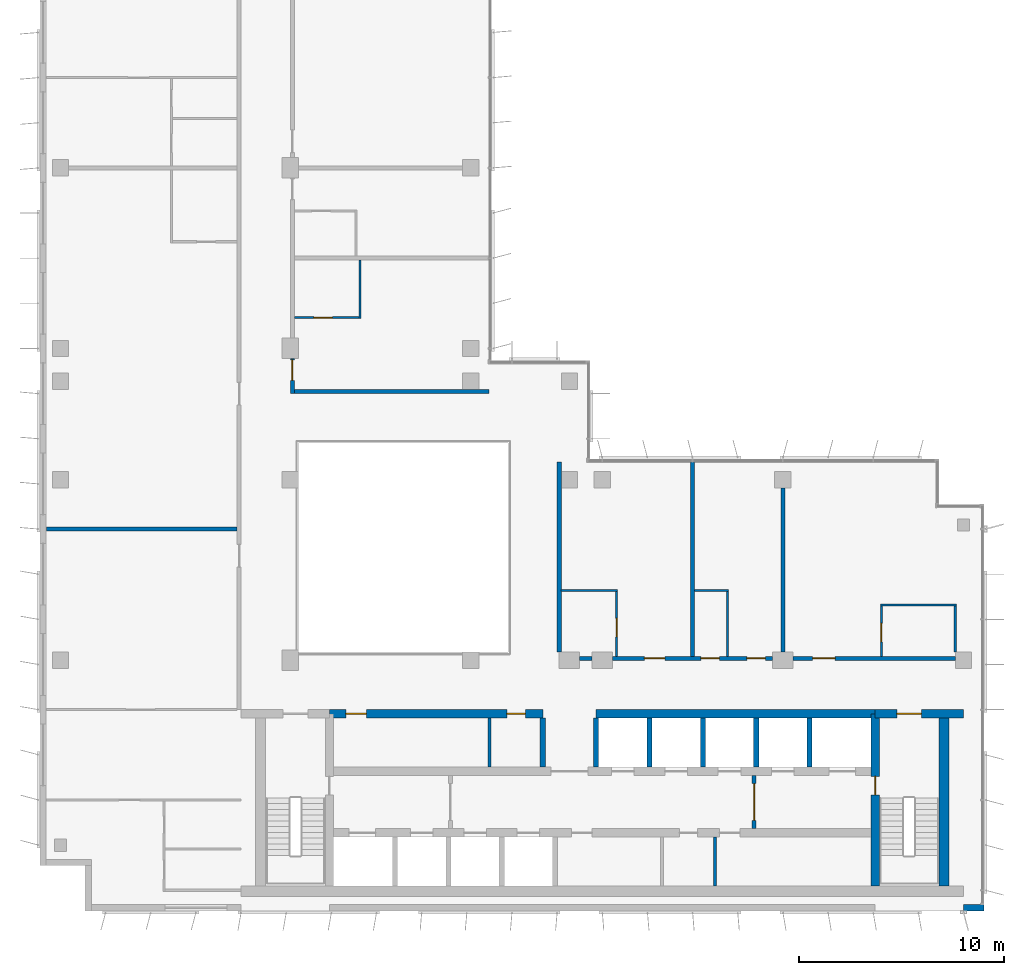
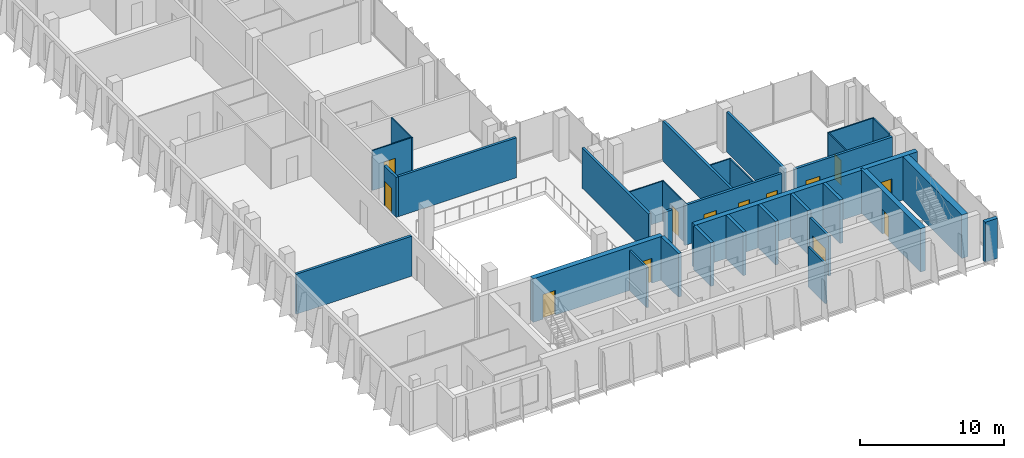
# One storey, part 10 of 15: 33 walls, 13 doors, 13 openings.
"""IFC4 building model written with IfcOpenShell, lengths in metres."""

from ifc_helpers import new_model, si_unit, direction, frame, frame_2d, origin, place, context, subcontext, project, spatial, rectangle, extrude, material, layer, layer_set, type_object, element, fill, save


model = new_model("IFC4")

# Units and contexts
model_context = context("Model", 3, precision=1e-05, world=origin(), true_north=direction((0.0, 1.0)))
body_context = subcontext(model_context, "Body", "Model", "MODEL_VIEW")
ifc_project = project(units=[si_unit("LENGTHUNIT", "METRE"), si_unit("AREAUNIT", "SQUARE_METRE"), si_unit("VOLUMEUNIT", "CUBIC_METRE"), si_unit("PLANEANGLEUNIT", "RADIAN"), si_unit("MASSUNIT", "GRAM", prefix="KILO")], contexts=[model_context])

# Site, building, storey
site_placement = place(None, origin())
site = spatial("IfcSite", under=ifc_project, at=site_placement, CompositionType="ELEMENT")
building_placement = place(site_placement, origin())
building = spatial("IfcBuilding", under=site, at=building_placement, Name="Kemantara Hotel Tower", CompositionType="ELEMENT")
storey_placement = place(building_placement, frame((0.0, 0.0, 237.60009765625)))
storey = spatial("IfcBuildingStorey", under=building, at=storey_placement, Name="L59", CompositionType="ELEMENT", Elevation=237.60009765625)

# Walls
ifc_material_1 = material(Name="Bronze anodised aluminium cladding on insulated steel stud wall", Category="steel")
ifc_layer_1 = layer(ifc_material_1, 0.300048828125)
ifc_layer_set_1 = layer_set([ifc_layer_1], Name="Bronze anodised aluminium cladding on insulated steel stud wall")
wall_type_1 = type_object("IfcWallType", Name="BRONZE METAL-CLAD EXTERNAL WALL 300", PredefinedType="STANDARD", material=ifc_layer_set_1)
wall_1_placement = place(storey_placement, frame((45.0, 0.14990234375, 0.0), z_axis=(0.0, 0.0, 1.0), x_axis=(1.0, 0.0, 0.0)))
element("IfcWall", 1, at=wall_1_placement, inside=storey, type_object=wall_type_1, Name="EXTERNAL WALL L59 T4-R08-3", PredefinedType="STANDARD", context=body_context, shape_type="SweptSolid", body=[
    extrude(rectangle(XDim=1.0, YDim=0.300048828125, at=frame_2d((0.5, 0.0))), origin(), (0.0, 0.0, 1.0), 3.39990234375),
])
ifc_material_2 = material(Name="Concrete fc 60 MPa", Category="concrete")
ifc_layer_2 = layer(ifc_material_2, 0.25)
ifc_layer_set_2 = layer_set([ifc_layer_2], Name="Concrete fc 60 MPa")
wall_type_2 = type_object("IfcWallType", Name="CORE WALL 250 FC60", PredefinedType="SHEAR", material=ifc_layer_set_2)
for number, where, z_axis, x_axis, name in (
    (2, (24.5, 7.0, 0.0), (0.0, 0.0, 1.0), (0.0, 1.0, 0.0), "CORE WALL CW-DN24.5"),
    (3, (27.10009765625, 7.0, 0.0), (0.0, 0.0, 1.0), (0.0, 1.0, 0.0), "CORE WALL CW-DN27.1"),
    (4, (29.699951171875, 7.0, 0.0), (0.0, 0.0, 1.0), (0.0, 1.0, 0.0), "CORE WALL CW-DN29.7"),
    (5, (32.300048828125, 7.0, 0.0), (0.0, 0.0, 1.0), (0.0, 1.0, 0.0), "CORE WALL CW-DN32.3"),
    (6, (34.89990234375, 7.0, 0.0), (0.0, 0.0, 1.0), (0.0, 1.0, 0.0), "CORE WALL CW-DN34.9"),
    (7, (37.5, 7.0, 0.0), (0.0, 0.0, 1.0), (0.0, 1.0, 0.0), "CORE WALL CW-DN37.5"),
):
    element("IfcWall", number, at=place(storey_placement, frame(where, z_axis=z_axis, x_axis=x_axis)), inside=storey, type_object=wall_type_2, Name=name, PredefinedType="SHEAR", context=body_context, shape_type="SweptSolid", body=[
        extrude(rectangle(XDim=2.39990234375, YDim=0.25, at=frame_2d((1.199951171875, 0.0))), origin(), (0.0, 0.0, 1.0), 3.699951171875),
    ])

# Wall, opening, door
ifc_layer_3 = layer(ifc_material_2, 0.39990234375)
ifc_layer_set_3 = layer_set([ifc_layer_3], Name="Concrete fc 60 MPa")
wall_type_3 = type_object("IfcWallType", Name="CORE WALL 400 FC60", PredefinedType="SHEAR", material=ifc_layer_set_3)
wall_2_placement = place(storey_placement, frame((40.699951171875, 9.60009765625, 0.0), z_axis=(0.0, 0.0, 1.0), x_axis=(1.0, 0.0, 0.0)))
wall_2 = element("IfcWall", 8, at=wall_2_placement, inside=storey, type_object=wall_type_3, Name="CORE WALL CW-N2", PredefinedType="SHEAR", context=body_context, shape_type="SweptSolid", body=[
    extrude(rectangle(XDim=4.300048828125, YDim=0.39990234375, at=frame_2d((2.14990234375, 0.0))), origin(), (0.0, 0.0, 1.0), 3.699951171875),
])
opening_1_placement = place(wall_2_placement, frame((1.050048828125, 0.0, 0.0)))
opening_1 = element("IfcOpeningElement", 9, at=opening_1_placement, cuts=wall_2, Name="Opening C36-ST2-C", PredefinedType="OPENING", context=body_context, shape_type="SweptSolid", body=[
    extrude(rectangle(XDim=1.199951171875, YDim=2.10009765625, at=frame_2d((0.60009765625, 1.050048828125))), frame((0.0, 0.2099609375, 0.0), z_axis=(0.0, -1.0, 0.0), x_axis=(1.0, 0.0, 0.0)), (0.0, 0.0, 1.0), 0.419921875),
])
ifc_material_3 = material(Name="Steel fire door", Category="steel")
door_type_1 = type_object("IfcDoorType", Name="Fire door FD90 1200 x 2100", OperationType="NOTDEFINED", PredefinedType="DOOR", material=ifc_material_3)
door_1_placement = place(opening_1_placement, frame((1.199951171875, 0.0, 0.0), z_axis=(0.0, 0.0, 1.0), x_axis=(-1.0, 0.0, 0.0)))
door_1 = element("IfcDoor", 10, at=door_1_placement, inside=storey, type_object=door_type_1, Name="Stair ST2 door to corridor", OperationType="SINGLE_SWING_RIGHT", OverallHeight=2.10009765625, OverallWidth=1.199951171875, PredefinedType="DOOR", context=body_context, shape_type="SweptSolid", body=[
    extrude(rectangle(XDim=1.199951171875, YDim=2.10009765625, at=frame_2d((0.60009765625, 1.050048828125))), frame((0.0, 0.02490234375, 0.0), z_axis=(0.0, -1.0, 0.0), x_axis=(1.0, 0.0, 0.0)), (0.0, 0.0, 1.0), 0.050048828125),
])
fill(opening_1, door_1)

# Wall, openings, doors
wall_3_placement = place(storey_placement, frame((14.10009765625, 9.60009765625, 0.0), z_axis=(0.0, 0.0, 1.0), x_axis=(1.0, 0.0, 0.0)))
wall_3 = element("IfcWall", 11, at=wall_3_placement, inside=storey, type_object=wall_type_3, Name="CORE WALL CW-NN1", PredefinedType="SHEAR", context=body_context, shape_type="SweptSolid", body=[
    extrude(rectangle(XDim=10.39990234375, YDim=0.39990234375, at=frame_2d((5.199951171875, 0.0))), origin(), (0.0, 0.0, 1.0), 3.699951171875),
])
opening_2_placement = place(wall_3_placement, frame((0.800048828125, 0.0, 0.0)))
opening_2 = element("IfcOpeningElement", 12, at=opening_2_placement, cuts=wall_3, Name="Opening C36-R-NW1", PredefinedType="OPENING", context=body_context, shape_type="SweptSolid", body=[
    extrude(rectangle(XDim=1.0, YDim=2.10009765625, at=frame_2d((0.5, 1.050048828125))), frame((0.0, 0.2099609375, 0.0), z_axis=(0.0, -1.0, 0.0), x_axis=(1.0, 0.0, 0.0)), (0.0, 0.0, 1.0), 0.419921875),
])
opening_3_placement = place(wall_3_placement, frame((8.64990234375, 0.0, 0.0)))
opening_3 = element("IfcOpeningElement", 13, at=opening_3_placement, cuts=wall_3, Name="Opening C36-R-NW2", PredefinedType="OPENING", context=body_context, shape_type="SweptSolid", body=[
    extrude(rectangle(XDim=0.89990234375, YDim=2.10009765625, at=frame_2d((0.449951171875, 1.050048828125))), frame((0.0, 0.2099609375, 0.0), z_axis=(0.0, -1.0, 0.0), x_axis=(1.0, 0.0, 0.0)), (0.0, 0.0, 1.0), 0.419921875),
])
door_type_2 = type_object("IfcDoorType", Name="Fire door FD30S 1000 x 2100", OperationType="NOTDEFINED", PredefinedType="DOOR", material=ifc_material_3)
door_2_placement = place(opening_2_placement, frame((1.0, 0.0, 0.0), z_axis=(0.0, 0.0, 1.0), x_axis=(-1.0, 0.0, 0.0)))
door_2 = element("IfcDoor", 14, at=door_2_placement, inside=storey, type_object=door_type_2, Name="Linen Store door", OperationType="SINGLE_SWING_RIGHT", OverallHeight=2.10009765625, OverallWidth=1.0, PredefinedType="DOOR", context=body_context, shape_type="SweptSolid", body=[
    extrude(rectangle(XDim=1.0, YDim=2.10009765625, at=frame_2d((0.5, 1.050048828125))), frame((0.0, 0.02490234375, 0.0), z_axis=(0.0, -1.0, 0.0), x_axis=(1.0, 0.0, 0.0)), (0.0, 0.0, 1.0), 0.050048828125),
])
fill(opening_2, door_2)
door_type_3 = type_object("IfcDoorType", Name="Fire door FD60 900 x 2100", OperationType="NOTDEFINED", PredefinedType="DOOR", material=ifc_material_3)
door_3_placement = place(opening_3_placement, frame((0.89990234375, 0.0, 0.0), z_axis=(0.0, 0.0, 1.0), x_axis=(-1.0, 0.0, 0.0)))
door_3 = element("IfcDoor", 15, at=door_3_placement, inside=storey, type_object=door_type_3, Name="It Equipment Room door", OperationType="SINGLE_SWING_LEFT", OverallHeight=2.10009765625, OverallWidth=0.89990234375, PredefinedType="DOOR", context=body_context, shape_type="SweptSolid", body=[
    extrude(rectangle(XDim=0.89990234375, YDim=2.10009765625, at=frame_2d((0.449951171875, 1.050048828125))), frame((0.0, 0.02490234375, 0.0), z_axis=(0.0, -1.0, 0.0), x_axis=(1.0, 0.0, 0.0)), (0.0, 0.0, 1.0), 0.050048828125),
])
fill(opening_3, door_3)

# Wall
wall_4_placement = place(storey_placement, frame((27.10009765625, 9.60009765625, 0.0), z_axis=(0.0, 0.0, 1.0), x_axis=(1.0, 0.0, 0.0)))
element("IfcWall", 16, at=wall_4_placement, inside=storey, type_object=wall_type_3, Name="CORE WALL CW-NN2", PredefinedType="SHEAR", context=body_context, shape_type="SweptSolid", body=[
    extrude(rectangle(XDim=13.599853515625, YDim=0.39990234375, at=frame_2d((6.7998046875, 0.0))), origin(), (0.0, 0.0, 1.0), 3.699951171875),
])

# Wall, opening, door
wall_5_placement = place(storey_placement, frame((40.699951171875, 1.199951171875, 0.0), z_axis=(0.0, 0.0, 1.0), x_axis=(0.0, 1.0, 0.0)))
wall_5 = element("IfcWall", 17, at=wall_5_placement, inside=storey, type_object=wall_type_3, Name="CORE WALL CW-ST2W", PredefinedType="SHEAR", context=body_context, shape_type="SweptSolid", body=[
    extrude(rectangle(XDim=8.400146484375, YDim=0.39990234375, at=frame_2d((4.2001953125, 0.0))), origin(), (0.0, 0.0, 1.0), 3.699951171875),
])
opening_4_placement = place(wall_5_placement, frame((4.449951171875, 0.0, 0.0)))
opening_4 = element("IfcOpeningElement", 18, at=opening_4_placement, cuts=wall_5, Name="Opening C36-ST2-F", PredefinedType="OPENING", context=body_context, shape_type="SweptSolid", body=[
    extrude(rectangle(XDim=0.89990234375, YDim=2.10009765625, at=frame_2d((0.449951171875, 1.050048828125))), frame((0.0, 0.2099609375, 0.0), z_axis=(0.0, -1.0, 0.0), x_axis=(1.0, 0.0, 0.0)), (0.0, 0.0, 1.0), 0.419921875),
])
door_type_4 = type_object("IfcDoorType", Name="Fire door FD90 900 x 2100", OperationType="NOTDEFINED", PredefinedType="DOOR", material=ifc_material_3)
door_4_placement = place(opening_4_placement, frame((0.89990234375, 0.0, 0.0), z_axis=(0.0, 0.0, 1.0), x_axis=(-1.0, 0.0, 0.0)))
door_4 = element("IfcDoor", 19, at=door_4_placement, inside=storey, type_object=door_type_4, Name="Stair ST2 door to firefighting lobby", OperationType="SINGLE_SWING_LEFT", OverallHeight=2.10009765625, OverallWidth=0.89990234375, PredefinedType="DOOR", context=body_context, shape_type="SweptSolid", body=[
    extrude(rectangle(XDim=0.89990234375, YDim=2.10009765625, at=frame_2d((0.449951171875, 1.050048828125))), frame((0.0, 0.02490234375, 0.0), z_axis=(0.0, -1.0, 0.0), x_axis=(1.0, 0.0, 0.0)), (0.0, 0.0, 1.0), 0.050048828125),
])
fill(opening_4, door_4)

# Walls
ifc_layer_4 = layer(ifc_material_2, 0.5)
ifc_layer_set_4 = layer_set([ifc_layer_4], Name="Concrete fc 60 MPa")
wall_type_4 = type_object("IfcWallType", Name="CORE WALL 500 FC60", PredefinedType="SHEAR", material=ifc_layer_set_4)
wall_6_placement = place(storey_placement, frame((44.050048828125, 1.199951171875, 0.0), z_axis=(0.0, 0.0, 1.0), x_axis=(0.0, 1.0, 0.0)))
element("IfcWall", 20, at=wall_6_placement, inside=storey, type_object=wall_type_4, Name="CORE WALL CW-E", PredefinedType="SHEAR", context=body_context, shape_type="SweptSolid", body=[
    extrude(rectangle(XDim=8.60009765625, YDim=0.5, at=frame_2d((4.300048828125, 0.0))), origin(), (0.0, 0.0, 1.0), 3.699951171875),
])
ifc_material_4 = material(Name="Gypsum board partition, steel studs and mineral wool, 200 mm", Category="steel")
ifc_layer_5 = layer(ifc_material_4, 0.199951171875)
ifc_layer_set_5 = layer_set([ifc_layer_5], Name="Gypsum board partition, steel studs and mineral wool, 200 mm")
wall_type_5 = type_object("IfcWallType", Name="CORRIDOR WALL 200", PredefinedType="PARTITIONING", material=ifc_layer_set_5)
wall_7_placement = place(storey_placement, frame((26.300048828125, 12.300048828125, 0.0), z_axis=(0.0, 0.0, 1.0), x_axis=(1.0, 0.0, 0.0)))
element("IfcWall", 21, at=wall_7_placement, inside=storey, type_object=wall_type_5, Name="CORRIDOR WALL 200 001", PredefinedType="PARTITIONING", context=body_context, shape_type="SweptSolid", body=[
    extrude(rectangle(XDim=0.599853515625, YDim=0.199951171875, at=frame_2d((0.2998046875, 0.0))), origin(), (0.0, 0.0, 1.0), 3.39990234375),
])

# Wall, openings, doors
wall_8_placement = place(storey_placement, frame((27.900146484375, 12.300048828125, 0.0), z_axis=(0.0, 0.0, 1.0), x_axis=(1.0, 0.0, 0.0)))
wall_8 = element("IfcWall", 22, at=wall_8_placement, inside=storey, type_object=wall_type_5, Name="CORRIDOR WALL 200 002", PredefinedType="PARTITIONING", context=body_context, shape_type="SweptSolid", body=[
    extrude(rectangle(XDim=7.7998046875, YDim=0.199951171875, at=frame_2d((3.89990234375, 0.0))), origin(), (0.0, 0.0, 1.0), 3.39990234375),
])
opening_5_placement = place(wall_8_placement, frame((1.5498046875, 0.0, 0.0)))
opening_5 = element("IfcOpeningElement", 23, at=opening_5_placement, cuts=wall_8, Name="Opening F29-001", PredefinedType="OPENING", context=body_context, shape_type="SweptSolid", body=[
    extrude(rectangle(XDim=1.0, YDim=2.10009765625, at=frame_2d((0.5, 1.050048828125))), frame((0.0, 0.10986328125, 0.0), z_axis=(0.0, -1.0, 0.0), x_axis=(1.0, 0.0, 0.0)), (0.0, 0.0, 1.0), 0.219970703125),
])
opening_6_placement = place(wall_8_placement, frame((6.5498046875, 0.0, 0.0)))
opening_6 = element("IfcOpeningElement", 24, at=opening_6_placement, cuts=wall_8, Name="Opening F29-003", PredefinedType="OPENING", context=body_context, shape_type="SweptSolid", body=[
    extrude(rectangle(XDim=0.89990234375, YDim=2.10009765625, at=frame_2d((0.449951171875, 1.050048828125))), frame((0.0, 0.10986328125, 0.0), z_axis=(0.0, -1.0, 0.0), x_axis=(1.0, 0.0, 0.0)), (0.0, 0.0, 1.0), 0.219970703125),
])
opening_7_placement = place(wall_8_placement, frame((4.2998046875, 0.0, 0.0)))
opening_7 = element("IfcOpeningElement", 25, at=opening_7_placement, cuts=wall_8, Name="Opening F29-004", PredefinedType="OPENING", context=body_context, shape_type="SweptSolid", body=[
    extrude(rectangle(XDim=0.89990234375, YDim=2.10009765625, at=frame_2d((0.449951171875, 1.050048828125))), frame((0.0, 0.10986328125, 0.0), z_axis=(0.0, -1.0, 0.0), x_axis=(1.0, 0.0, 0.0)), (0.0, 0.0, 1.0), 0.219970703125),
])
ifc_material_5 = material(Name="Hardwood veneer door leaf with steel frame", Category="steel")
door_type_5 = type_object("IfcDoorType", Name="GUEST ROOM DOOR 1000 X 2100 FD30S", OperationType="NOTDEFINED", PredefinedType="DOOR", material=ifc_material_5)
door_5_placement = place(opening_5_placement, origin())
door_5 = element("IfcDoor", 26, at=door_5_placement, inside=storey, type_object=door_type_5, Name="GUEST ROOM DOOR F29-001", OperationType="SINGLE_SWING_RIGHT", OverallHeight=2.10009765625, OverallWidth=1.0, PredefinedType="DOOR", context=body_context, shape_type="SweptSolid", body=[
    extrude(rectangle(XDim=1.0, YDim=2.10009765625, at=frame_2d((0.5, 1.050048828125))), frame((0.0, 0.02490234375, 0.0), z_axis=(0.0, -1.0, 0.0), x_axis=(1.0, 0.0, 0.0)), (0.0, 0.0, 1.0), 0.050048828125),
])
fill(opening_5, door_5)
ifc_material_6 = material(Name="Steel door leaf with steel frame", Category="steel")
door_type_6 = type_object("IfcDoorType", Name="SERVICE ROOM DOOR 900 X 2100 FD60", OperationType="NOTDEFINED", PredefinedType="DOOR", material=ifc_material_6)
door_6_placement = place(opening_6_placement, origin())
door_6 = element("IfcDoor", 27, at=door_6_placement, inside=storey, type_object=door_type_6, Name="SERVICE ROOM DOOR F29-003", OperationType="SINGLE_SWING_RIGHT", OverallHeight=2.10009765625, OverallWidth=0.89990234375, PredefinedType="DOOR", context=body_context, shape_type="SweptSolid", body=[
    extrude(rectangle(XDim=0.89990234375, YDim=2.10009765625, at=frame_2d((0.449951171875, 1.050048828125))), frame((0.0, 0.02490234375, 0.0), z_axis=(0.0, -1.0, 0.0), x_axis=(1.0, 0.0, 0.0)), (0.0, 0.0, 1.0), 0.050048828125),
])
fill(opening_6, door_6)
door_7_placement = place(opening_7_placement, origin())
door_7 = element("IfcDoor", 28, at=door_7_placement, inside=storey, type_object=door_type_6, Name="SERVICE ROOM DOOR F29-004", OperationType="SINGLE_SWING_LEFT", OverallHeight=2.10009765625, OverallWidth=0.89990234375, PredefinedType="DOOR", context=body_context, shape_type="SweptSolid", body=[
    extrude(rectangle(XDim=0.89990234375, YDim=2.10009765625, at=frame_2d((0.449951171875, 1.050048828125))), frame((0.0, 0.02490234375, 0.0), z_axis=(0.0, -1.0, 0.0), x_axis=(1.0, 0.0, 0.0)), (0.0, 0.0, 1.0), 0.050048828125),
])
fill(opening_7, door_7)

# Wall, opening, door
wall_9_placement = place(storey_placement, frame((36.7001953125, 12.300048828125, 0.0), z_axis=(0.0, 0.0, 1.0), x_axis=(1.0, 0.0, 0.0)))
wall_9 = element("IfcWall", 29, at=wall_9_placement, inside=storey, type_object=wall_type_5, Name="CORRIDOR WALL 200 003", PredefinedType="PARTITIONING", context=body_context, shape_type="SweptSolid", body=[
    extrude(rectangle(XDim=7.899658203125, YDim=0.199951171875, at=frame_2d((3.94970703125, 0.0))), origin(), (0.0, 0.0, 1.0), 3.39990234375),
])
opening_8_placement = place(wall_9_placement, frame((0.949951171875, 0.0, 0.0)))
opening_8 = element("IfcOpeningElement", 30, at=opening_8_placement, cuts=wall_9, Name="Opening F29-005", PredefinedType="OPENING", context=body_context, shape_type="SweptSolid", body=[
    extrude(rectangle(XDim=1.10009765625, YDim=2.10009765625, at=frame_2d((0.550048828125, 1.050048828125))), frame((0.0, 0.10986328125, 0.0), z_axis=(0.0, -1.0, 0.0), x_axis=(1.0, 0.0, 0.0)), (0.0, 0.0, 1.0), 0.219970703125),
])
door_type_7 = type_object("IfcDoorType", Name="SUITE ENTRANCE DOOR 1100 X 2100 FD30S", OperationType="NOTDEFINED", PredefinedType="DOOR", material=ifc_material_5)
door_8_placement = place(opening_8_placement, origin())
door_8 = element("IfcDoor", 31, at=door_8_placement, inside=storey, type_object=door_type_7, Name="SUITE ENTRANCE DOOR F29-005", OperationType="SINGLE_SWING_LEFT", OverallHeight=2.10009765625, OverallWidth=1.10009765625, PredefinedType="DOOR", context=body_context, shape_type="SweptSolid", body=[
    extrude(rectangle(XDim=1.10009765625, YDim=2.10009765625, at=frame_2d((0.550048828125, 1.050048828125))), frame((0.0, 0.02490234375, 0.0), z_axis=(0.0, -1.0, 0.0), x_axis=(1.0, 0.0, 0.0)), (0.0, 0.0, 1.0), 0.050048828125),
])
fill(opening_8, door_8)

wall_10_placement = place(storey_placement, frame((12.300048828125, 26.89990234375, 0.0), z_axis=(0.0, 0.0, 1.0), x_axis=(0.0, -1.0, 0.0)))
wall_10 = element("IfcWall", 32, at=wall_10_placement, inside=storey, type_object=wall_type_5, Name="CORRIDOR WALL 200 014", PredefinedType="PARTITIONING", context=body_context, shape_type="SweptSolid", body=[
    extrude(rectangle(XDim=1.699951171875, YDim=0.199951171875, at=frame_2d((0.85009765625, 0.0))), origin(), (0.0, 0.0, 1.0), 3.39990234375),
])
opening_9_placement = place(wall_10_placement, frame((0.0498046875, 0.0, 0.0)))
opening_9 = element("IfcOpeningElement", 33, at=opening_9_placement, cuts=wall_10, Name="Opening F29-020", PredefinedType="OPENING", context=body_context, shape_type="SweptSolid", body=[
    extrude(rectangle(XDim=1.0, YDim=2.10009765625, at=frame_2d((0.5, 1.050048828125))), frame((0.0, 0.10986328125, 0.0), z_axis=(0.0, -1.0, 0.0), x_axis=(1.0, 0.0, 0.0)), (0.0, 0.0, 1.0), 0.219970703125),
])
door_9_placement = place(opening_9_placement, origin())
door_9 = element("IfcDoor", 34, at=door_9_placement, inside=storey, type_object=door_type_5, Name="GUEST ROOM DOOR F29-020", OperationType="SINGLE_SWING_RIGHT", OverallHeight=2.10009765625, OverallWidth=1.0, PredefinedType="DOOR", context=body_context, shape_type="SweptSolid", body=[
    extrude(rectangle(XDim=1.0, YDim=2.10009765625, at=frame_2d((0.5, 1.050048828125))), frame((0.0, 0.02490234375, 0.0), z_axis=(0.0, -1.0, 0.0), x_axis=(1.0, 0.0, 0.0)), (0.0, 0.0, 1.0), 0.050048828125),
])
fill(opening_9, door_9)

# Walls
ifc_layer_6 = layer(ifc_material_4, 0.199951171875)
ifc_layer_set_6 = layer_set([ifc_layer_6], Name="Gypsum board partition, steel studs and mineral wool, 200 mm")
wall_type_6 = type_object("IfcWallType", Name="GUEST ROOM PARTY WALL 200", PredefinedType="PARTITIONING", material=ifc_layer_set_6)
wall_11_placement = place(storey_placement, frame((25.300048828125, 12.60009765625, 0.0), z_axis=(0.0, 0.0, 1.0), x_axis=(0.0, 1.0, 0.0)))
element("IfcWall", 35, at=wall_11_placement, inside=storey, type_object=wall_type_6, Name="GUEST ROOM PARTY WALL 200 004", PredefinedType="PARTITIONING", context=body_context, shape_type="SweptSolid", body=[
    extrude(rectangle(XDim=9.27001953125, YDim=0.199951171875, at=frame_2d((4.635009765625, 0.0))), origin(), (0.0, 0.0, 1.0), 3.39990234375),
])
wall_12_placement = place(storey_placement, frame((31.800048828125, 12.39990234375, 0.0), z_axis=(0.0, 0.0, 1.0), x_axis=(0.0, 1.0, 0.0)))
element("IfcWall", 36, at=wall_12_placement, inside=storey, type_object=wall_type_6, Name="GUEST ROOM PARTY WALL 200 005", PredefinedType="PARTITIONING", context=body_context, shape_type="SweptSolid", body=[
    extrude(rectangle(XDim=9.47021484375, YDim=0.199951171875, at=frame_2d((4.735107421875, 0.0))), origin(), (0.0, 0.0, 1.0), 3.39990234375),
])
wall_13_placement = place(storey_placement, frame((36.199951171875, 12.60009765625, 0.0), z_axis=(0.0, 0.0, 1.0), x_axis=(0.0, 1.0, 0.0)))
element("IfcWall", 37, at=wall_13_placement, inside=storey, type_object=wall_type_6, Name="GUEST ROOM PARTY WALL 200 006", PredefinedType="PARTITIONING", context=body_context, shape_type="SweptSolid", body=[
    extrude(rectangle(XDim=7.999755859375, YDim=0.199951171875, at=frame_2d((4.0, 0.0))), origin(), (0.0, 0.0, 1.0), 3.39990234375),
])
wall_14_placement = place(storey_placement, frame((0.31005859375, 18.60009765625, 0.0), z_axis=(0.0, 0.0, 1.0), x_axis=(1.0, 0.0, 0.0)))
element("IfcWall", 38, at=wall_14_placement, inside=storey, type_object=wall_type_6, Name="GUEST ROOM PARTY WALL 200 009", PredefinedType="PARTITIONING", context=body_context, shape_type="SweptSolid", body=[
    extrude(rectangle(XDim=9.2900390625, YDim=0.199951171875, at=frame_2d((4.64501953125, 0.0))), origin(), (0.0, 0.0, 1.0), 3.39990234375),
])
wall_15_placement = place(storey_placement, frame((12.39990234375, 25.300048828125, 0.0), z_axis=(0.0, 0.0, 1.0), x_axis=(1.0, 0.0, 0.0)))
element("IfcWall", 39, at=wall_15_placement, inside=storey, type_object=wall_type_6, Name="GUEST ROOM PARTY WALL 200 019", PredefinedType="PARTITIONING", context=body_context, shape_type="SweptSolid", body=[
    extrude(rectangle(XDim=9.47021484375, YDim=0.199951171875, at=frame_2d((4.735107421875, 0.0))), origin(), (0.0, 0.0, 1.0), 3.39990234375),
])
ifc_material_7 = material(Name="Gypsum board partition")
ifc_layer_7 = layer(ifc_material_7, 0.14990234375)
ifc_layer_set_7 = layer_set([ifc_layer_7], Name="Gypsum board partition")
wall_type_7 = type_object("IfcWallType", Name="Gypsum board partition 150 mm", PredefinedType="PARTITIONING", material=ifc_layer_set_7)
wall_16_placement = place(storey_placement, frame((21.89990234375, 7.0, 0.0), z_axis=(0.0, 0.0, 1.0), x_axis=(0.0, 1.0, 0.0)))
element("IfcWall", 40, at=wall_16_placement, inside=storey, type_object=wall_type_7, Name="Core room partition", PredefinedType="PARTITIONING", context=body_context, shape_type="SweptSolid", body=[
    extrude(rectangle(XDim=2.39990234375, YDim=0.14990234375, at=frame_2d((1.199951171875, 0.0))), origin(), (0.0, 0.0, 1.0), 3.39990234375),
])
wall_17_placement = place(storey_placement, frame((32.89990234375, 1.199951171875, 0.0), z_axis=(0.0, 0.0, 1.0), x_axis=(0.0, 1.0, 0.0)))
element("IfcWall", 41, at=wall_17_placement, inside=storey, type_object=wall_type_7, Name="Core room partition", PredefinedType="PARTITIONING", context=body_context, shape_type="SweptSolid", body=[
    extrude(rectangle(XDim=2.400146484375, YDim=0.14990234375, at=frame_2d((1.2001953125, 0.0))), origin(), (0.0, 0.0, 1.0), 3.39990234375),
])

# Wall, opening, door
ifc_material_8 = material(Name="Gypsum board shaft wall")
ifc_layer_8 = layer(ifc_material_8, 0.199951171875)
ifc_layer_set_8 = layer_set([ifc_layer_8], Name="Gypsum board shaft wall")
wall_type_8 = type_object("IfcWallType", Name="Gypsum board shaft wall 200 mm", PredefinedType="PARTITIONING", material=ifc_layer_set_8)
wall_18_placement = place(storey_placement, frame((34.800048828125, 4.0, 0.0), z_axis=(0.0, 0.0, 1.0), x_axis=(0.0, 1.0, 0.0)))
wall_18 = element("IfcWall", 42, at=wall_18_placement, inside=storey, type_object=wall_type_8, Name="Firefighting lobby partition east", PredefinedType="PARTITIONING", context=body_context, shape_type="SweptSolid", body=[
    extrude(rectangle(XDim=2.60009765625, YDim=0.199951171875, at=frame_2d((1.300048828125, 0.0))), origin(), (0.0, 0.0, 1.0), 3.39990234375),
])
opening_10_placement = place(wall_18_placement, frame((0.39990234375, 0.0, 0.0)))
opening_10 = element("IfcOpeningElement", 43, at=opening_10_placement, cuts=wall_18, Name="Opening C36-FFE", PredefinedType="OPENING", context=body_context, shape_type="SweptSolid", body=[
    extrude(rectangle(XDim=1.800048828125, YDim=2.10009765625, at=frame_2d((0.89990234375, 1.050048828125))), frame((0.0, 0.10986328125, 0.0), z_axis=(0.0, -1.0, 0.0), x_axis=(1.0, 0.0, 0.0)), (0.0, 0.0, 1.0), 0.219970703125),
])
door_type_8 = type_object("IfcDoorType", Name="Fire door pair FD60 1800 x 2100", OperationType="DOUBLE_DOOR_SINGLE_SWING", PredefinedType="DOOR", material=ifc_material_3)
door_10_placement = place(opening_10_placement, frame((1.800048828125, 0.0, 0.0), z_axis=(0.0, 0.0, 1.0), x_axis=(-1.0, 0.0, 0.0)))
door_10 = element("IfcDoor", 44, at=door_10_placement, inside=storey, type_object=door_type_8, Name="Firefighting lobby door east", OperationType="DOUBLE_DOOR_SINGLE_SWING", OverallHeight=2.10009765625, OverallWidth=1.800048828125, PredefinedType="DOOR", context=body_context, shape_type="SweptSolid", body=[
    extrude(rectangle(XDim=1.800048828125, YDim=2.10009765625, at=frame_2d((0.89990234375, 1.050048828125))), frame((0.0, 0.02490234375, 0.0), z_axis=(0.0, -1.0, 0.0), x_axis=(1.0, 0.0, 0.0)), (0.0, 0.0, 1.0), 0.050048828125),
])
fill(opening_10, door_10)

# Walls
ifc_material_9 = material(Name="Gypsum board partition on steel studs, 100 mm", Category="steel")
ifc_layer_9 = layer(ifc_material_9, 0.10009765625)
ifc_layer_set_9 = layer_set([ifc_layer_9], Name="Gypsum board partition on steel studs, 100 mm")
wall_type_9 = type_object("IfcWallType", Name="ROOM PARTITION 100", PredefinedType="PARTITIONING", material=ifc_layer_set_9)
wall_19_placement = place(storey_placement, frame((25.39990234375, 15.60009765625, 0.0), z_axis=(0.0, 0.0, 1.0), x_axis=(1.0, 0.0, 0.0)))
element("IfcWall", 45, at=wall_19_placement, inside=storey, type_object=wall_type_9, Name="ROOM PARTITION 100 022", PredefinedType="PARTITIONING", context=body_context, shape_type="SweptSolid", body=[
    extrude(rectangle(XDim=2.75, YDim=0.10009765625, at=frame_2d((1.375, 0.0))), origin(), (0.0, 0.0, 1.0), 3.39990234375),
])
wall_20_placement = place(storey_placement, frame((31.89990234375, 15.60009765625, 0.0), z_axis=(0.0, 0.0, 1.0), x_axis=(1.0, 0.0, 0.0)))
element("IfcWall", 46, at=wall_20_placement, inside=storey, type_object=wall_type_9, Name="ROOM PARTITION 100 023", PredefinedType="PARTITIONING", context=body_context, shape_type="SweptSolid", body=[
    extrude(rectangle(XDim=1.650146484375, YDim=0.10009765625, at=frame_2d((0.8251953125, 0.0))), origin(), (0.0, 0.0, 1.0), 3.39990234375),
])

# Wall, opening, door
wall_21_placement = place(storey_placement, frame((28.10009765625, 12.39990234375, 0.0), z_axis=(0.0, 0.0, 1.0), x_axis=(0.0, 1.0, 0.0)))
wall_21 = element("IfcWall", 47, at=wall_21_placement, inside=storey, type_object=wall_type_9, Name="ROOM PARTITION 100 024", PredefinedType="PARTITIONING", context=body_context, shape_type="SweptSolid", body=[
    extrude(rectangle(XDim=3.150146484375, YDim=0.10009765625, at=frame_2d((1.5751953125, 0.0))), origin(), (0.0, 0.0, 1.0), 3.39990234375),
])
opening_11_placement = place(wall_21_placement, frame((0.949951171875, 0.0, 0.0)))
opening_11 = element("IfcOpeningElement", 48, at=opening_11_placement, cuts=wall_21, Name="Opening F29-002", PredefinedType="OPENING", context=body_context, shape_type="SweptSolid", body=[
    extrude(rectangle(XDim=0.89990234375, YDim=2.10009765625, at=frame_2d((0.449951171875, 1.050048828125))), frame((0.0, 0.06005859375, 0.0), z_axis=(0.0, -1.0, 0.0), x_axis=(1.0, 0.0, 0.0)), (0.0, 0.0, 1.0), 0.1201171875),
])
door_type_9 = type_object("IfcDoorType", Name="BATHROOM DOOR 900 X 2100", OperationType="NOTDEFINED", PredefinedType="DOOR", material=ifc_material_5)
door_11_placement = place(opening_11_placement, origin())
door_11 = element("IfcDoor", 49, at=door_11_placement, inside=storey, type_object=door_type_9, Name="BATHROOM DOOR F29-002", OperationType="SINGLE_SWING_LEFT", OverallHeight=2.10009765625, OverallWidth=0.89990234375, PredefinedType="DOOR", context=body_context, shape_type="SweptSolid", body=[
    extrude(rectangle(XDim=0.89990234375, YDim=2.10009765625, at=frame_2d((0.449951171875, 1.050048828125))), frame((0.0, 0.02490234375, 0.0), z_axis=(0.0, -1.0, 0.0), x_axis=(1.0, 0.0, 0.0)), (0.0, 0.0, 1.0), 0.050048828125),
])
fill(opening_11, door_11)

# Walls
wall_22_placement = place(storey_placement, frame((33.5, 12.39990234375, 0.0), z_axis=(0.0, 0.0, 1.0), x_axis=(0.0, 1.0, 0.0)))
element("IfcWall", 50, at=wall_22_placement, inside=storey, type_object=wall_type_9, Name="ROOM PARTITION 100 025", PredefinedType="PARTITIONING", context=body_context, shape_type="SweptSolid", body=[
    extrude(rectangle(XDim=3.150146484375, YDim=0.10009765625, at=frame_2d((1.5751953125, 0.0))), origin(), (0.0, 0.0, 1.0), 3.39990234375),
])
wall_23_placement = place(storey_placement, frame((40.949951171875, 14.89990234375, 0.0), z_axis=(0.0, 0.0, 1.0), x_axis=(1.0, 0.0, 0.0)))
element("IfcWall", 51, at=wall_23_placement, inside=storey, type_object=wall_type_9, Name="ROOM PARTITION 100 026", PredefinedType="PARTITIONING", context=body_context, shape_type="SweptSolid", body=[
    extrude(rectangle(XDim=3.699951171875, YDim=0.10009765625, at=frame_2d((1.85009765625, 0.0))), origin(), (0.0, 0.0, 1.0), 3.39990234375),
])

# Wall, opening, door
wall_24_placement = place(storey_placement, frame((41.0, 14.85009765625, 0.0), z_axis=(0.0, 0.0, 1.0), x_axis=(0.0, -1.0, 0.0)))
wall_24 = element("IfcWall", 52, at=wall_24_placement, inside=storey, type_object=wall_type_9, Name="ROOM PARTITION 100 027", PredefinedType="PARTITIONING", context=body_context, shape_type="SweptSolid", body=[
    extrude(rectangle(XDim=2.4501953125, YDim=0.10009765625, at=frame_2d((1.22509765625, 0.0))), origin(), (0.0, 0.0, 1.0), 3.39990234375),
])
opening_12_placement = place(wall_24_placement, frame((0.85009765625, 0.0, 0.0)))
opening_12 = element("IfcOpeningElement", 53, at=opening_12_placement, cuts=wall_24, Name="Opening F29-006", PredefinedType="OPENING", context=body_context, shape_type="SweptSolid", body=[
    extrude(rectangle(XDim=0.89990234375, YDim=2.10009765625, at=frame_2d((0.449951171875, 1.050048828125))), frame((0.0, 0.06005859375, 0.0), z_axis=(0.0, -1.0, 0.0), x_axis=(1.0, 0.0, 0.0)), (0.0, 0.0, 1.0), 0.1201171875),
])
door_12_placement = place(opening_12_placement, origin())
door_12 = element("IfcDoor", 54, at=door_12_placement, inside=storey, type_object=door_type_9, Name="BATHROOM DOOR F29-006", OperationType="SINGLE_SWING_RIGHT", OverallHeight=2.10009765625, OverallWidth=0.89990234375, PredefinedType="DOOR", context=body_context, shape_type="SweptSolid", body=[
    extrude(rectangle(XDim=0.89990234375, YDim=2.10009765625, at=frame_2d((0.449951171875, 1.050048828125))), frame((0.0, 0.02490234375, 0.0), z_axis=(0.0, -1.0, 0.0), x_axis=(1.0, 0.0, 0.0)), (0.0, 0.0, 1.0), 0.050048828125),
])
fill(opening_12, door_12)

# Walls
wall_25_placement = place(storey_placement, frame((44.60009765625, 12.60009765625, 0.0), z_axis=(0.0, 0.0, 1.0), x_axis=(0.0, 1.0, 0.0)))
element("IfcWall", 55, at=wall_25_placement, inside=storey, type_object=wall_type_9, Name="ROOM PARTITION 100 028", PredefinedType="PARTITIONING", context=body_context, shape_type="SweptSolid", body=[
    extrude(rectangle(XDim=2.25, YDim=0.10009765625, at=frame_2d((1.125, 0.0))), origin(), (0.0, 0.0, 1.0), 3.39990234375),
])
wall_26_placement = place(storey_placement, frame((15.60009765625, 28.85009765625, 0.0), z_axis=(0.0, 0.0, 1.0), x_axis=(0.0, 1.0, 0.0)))
element("IfcWall", 56, at=wall_26_placement, inside=storey, type_object=wall_type_9, Name="ROOM PARTITION 100 041", PredefinedType="PARTITIONING", context=body_context, shape_type="SweptSolid", body=[
    extrude(rectangle(XDim=2.849853515625, YDim=0.10009765625, at=frame_2d((1.4248046875, 0.0))), origin(), (0.0, 0.0, 1.0), 3.39990234375),
])

# Wall, opening, door
wall_27_placement = place(storey_placement, frame((12.39990234375, 28.89990234375, 0.0), z_axis=(0.0, 0.0, 1.0), x_axis=(1.0, 0.0, 0.0)))
wall_27 = element("IfcWall", 57, at=wall_27_placement, inside=storey, type_object=wall_type_9, Name="ROOM PARTITION 100 043", PredefinedType="PARTITIONING", context=body_context, shape_type="SweptSolid", body=[
    extrude(rectangle(XDim=3.150146484375, YDim=0.10009765625, at=frame_2d((1.5751953125, 0.0))), origin(), (0.0, 0.0, 1.0), 3.39990234375),
])
opening_13_placement = place(wall_27_placement, frame((0.949951171875, 0.0, 0.0)))
opening_13 = element("IfcOpeningElement", 58, at=opening_13_placement, cuts=wall_27, Name="Opening F29-021", PredefinedType="OPENING", context=body_context, shape_type="SweptSolid", body=[
    extrude(rectangle(XDim=0.89990234375, YDim=2.10009765625, at=frame_2d((0.449951171875, 1.050048828125))), frame((0.0, 0.06005859375, 0.0), z_axis=(0.0, -1.0, 0.0), x_axis=(1.0, 0.0, 0.0)), (0.0, 0.0, 1.0), 0.1201171875),
])
door_13_placement = place(opening_13_placement, origin())
door_13 = element("IfcDoor", 59, at=door_13_placement, inside=storey, type_object=door_type_9, Name="BATHROOM DOOR F29-021", OperationType="SINGLE_SWING_LEFT", OverallHeight=2.10009765625, OverallWidth=0.89990234375, PredefinedType="DOOR", context=body_context, shape_type="SweptSolid", body=[
    extrude(rectangle(XDim=0.89990234375, YDim=2.10009765625, at=frame_2d((0.449951171875, 1.050048828125))), frame((0.0, 0.02490234375, 0.0), z_axis=(0.0, -1.0, 0.0), x_axis=(1.0, 0.0, 0.0)), (0.0, 0.0, 1.0), 0.050048828125),
])
fill(opening_13, door_13)

save(model, "model.ifc")
